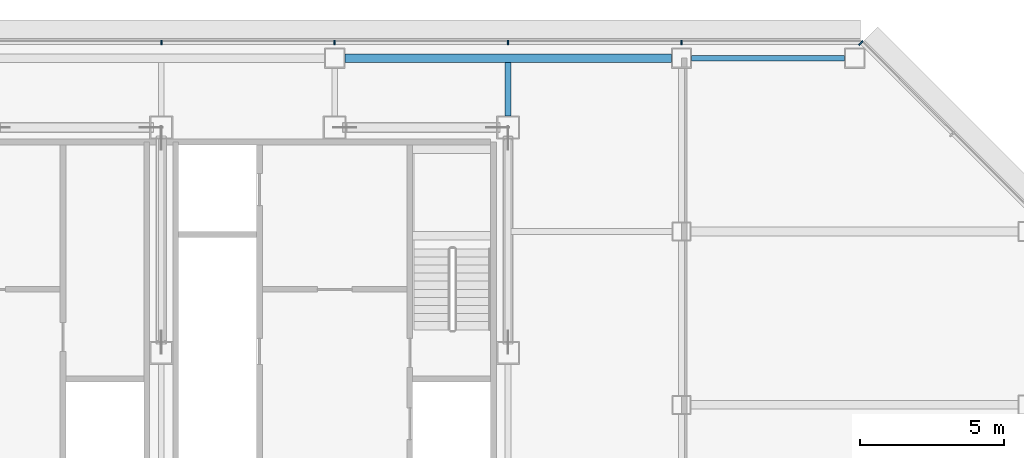
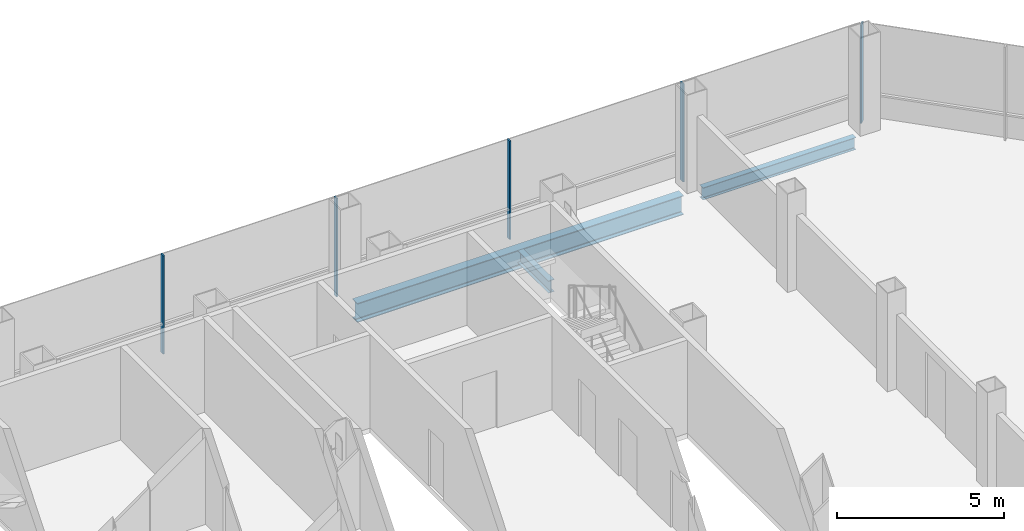
# One storey, part 14 of 24: 5 members, 3 beams, 2 elements without a shape of their own.
"""IFC4 building model written with IfcOpenShell, lengths in metres."""

from ifc_helpers import new_model, si_unit, direction, frame, origin, origin_2d, place, context, subcontext, project, spatial, rectangle, i_section, extrude, material, material_profile, profile_set, type_object, element, aggregate, save


model = new_model("IFC4")

# Units and contexts
model_context = context("Model", 3, precision=1e-05, world=origin(), true_north=direction((0.0, 1.0)))
body_context = subcontext(model_context, "Body", "Model", "MODEL_VIEW")
ifc_project = project(units=[si_unit("LENGTHUNIT", "METRE"), si_unit("AREAUNIT", "SQUARE_METRE"), si_unit("VOLUMEUNIT", "CUBIC_METRE"), si_unit("PLANEANGLEUNIT", "RADIAN"), si_unit("MASSUNIT", "GRAM", prefix="KILO")], contexts=[model_context])

# Site, building, storey
site_placement = place(None, origin())
site = spatial("IfcSite", under=ifc_project, at=site_placement, CompositionType="ELEMENT")
building_placement = place(site_placement, origin())
building = spatial("IfcBuilding", under=site, at=building_placement, Name="Sorahane Residences", CompositionType="ELEMENT")
storey_placement = place(building_placement, frame((0.0, 0.0, 170.800048828125)))
storey = spatial("IfcBuildingStorey", under=building, at=storey_placement, Name="L39", CompositionType="ELEMENT", Elevation=170.800048828125)

# Curtain wall, members
ifc_material_1 = material(Name="Dark low-e glass and black anodised aluminium", Category="aluminium")
curtain_wall_type_1 = type_object("IfcCurtainWallType", Name="Curtain wall CW-1 Typical unitised wall", PredefinedType="NOTDEFINED", material=ifc_material_1)
curtain_wall_1_placement = place(storey_placement, origin())
curtain_wall_1 = element("IfcCurtainWall", 1, at=curtain_wall_1_placement, inside=storey, type_object=curtain_wall_type_1, Name="CW-1 curtain wall L39 N1", PredefinedType="NOTDEFINED")
ifc_material_2 = material(Name="Black anodised aluminium", Category="aluminium")
ifc_material_profile_1 = material_profile(ifc_material_2, rectangle(XDim=0.159912109375, YDim=0.050048828125, at=origin_2d()), Name="Curtain wall mullion CW-1 black anodised aluminium 50x160")
ifc_profile_set_1 = profile_set([ifc_material_profile_1], Name="Black anodised aluminium")
member_type_1 = type_object("IfcMemberType", Name="Curtain wall mullion CW-1 black anodised aluminium 50x160", PredefinedType="MULLION", material=ifc_profile_set_1)
member_1_placement = place(storey_placement, frame((48.0, 48.5400390625, -0.179931640625), z_axis=(0.0, 0.0, 1.0), x_axis=(0.0, 1.0, 0.0)))
member_1 = element("IfcMember", 2, at=member_1_placement, type_object=member_type_1, Name="CW-1 mullion L39 N1.2", PredefinedType="MULLION", context=body_context, shape_type="SweptSolid", body=[
    extrude(rectangle(XDim=0.159912109375, YDim=0.050048828125, at=origin_2d()), origin(), (0.0, 0.0, 1.0), 3.599853515625),
])
member_2_placement = place(storey_placement, frame((42.0, 48.5400390625, -0.179931640625), z_axis=(0.0, 0.0, 1.0), x_axis=(0.0, 1.0, 0.0)))
member_2 = element("IfcMember", 3, at=member_2_placement, type_object=member_type_1, Name="CW-1 mullion L39 N1.3", PredefinedType="MULLION", context=body_context, shape_type="SweptSolid", body=[
    extrude(rectangle(XDim=0.159912109375, YDim=0.050048828125, at=origin_2d()), origin(), (0.0, 0.0, 1.0), 3.599853515625),
])
member_3_placement = place(storey_placement, frame((36.0, 48.5400390625, -0.179931640625), z_axis=(0.0, 0.0, 1.0), x_axis=(0.0, 1.0, 0.0)))
member_3 = element("IfcMember", 4, at=member_3_placement, type_object=member_type_1, Name="CW-1 mullion L39 N1.4", PredefinedType="MULLION", context=body_context, shape_type="SweptSolid", body=[
    extrude(rectangle(XDim=0.159912109375, YDim=0.050048828125, at=origin_2d()), origin(), (0.0, 0.0, 1.0), 3.599853515625),
])
member_4_placement = place(storey_placement, frame((30.0, 48.5400390625, -0.179931640625), z_axis=(0.0, 0.0, 1.0), x_axis=(0.0, 1.0, 0.0)))
member_4 = element("IfcMember", 5, at=member_4_placement, type_object=member_type_1, Name="CW-1 mullion L39 N1.5", PredefinedType="MULLION", context=body_context, shape_type="SweptSolid", body=[
    extrude(rectangle(XDim=0.159912109375, YDim=0.050048828125, at=origin_2d()), origin(), (0.0, 0.0, 1.0), 3.599853515625),
])
aggregate(curtain_wall_1, [member_1, member_2, member_3, member_4])

# Curtain wall, member
ifc_material_3 = material(Name="Dark low-e glass and black anodised aluminium", Category="aluminium")
curtain_wall_type_2 = type_object("IfcCurtainWallType", Name="Curtain wall CW-2 Chamfer unitised wall", PredefinedType="NOTDEFINED", material=ifc_material_3)
curtain_wall_2_placement = place(storey_placement, origin())
curtain_wall_2 = element("IfcCurtainWall", 6, at=curtain_wall_2_placement, inside=storey, type_object=curtain_wall_type_2, Name="CW-2 curtain wall L39 NE1", PredefinedType="NOTDEFINED")
ifc_material_4 = material(Name="Black anodised aluminium", Category="aluminium")
ifc_material_profile_2 = material_profile(ifc_material_4, rectangle(XDim=0.199951171875, YDim=0.050048828125, at=origin_2d()), Name="Curtain wall mullion CW-2 black anodised aluminium 50x200")
ifc_profile_set_2 = profile_set([ifc_material_profile_2], Name="Black anodised aluminium")
member_type_2 = type_object("IfcMemberType", Name="Curtain wall mullion CW-2 black anodised aluminium 50x200", PredefinedType="MULLION", material=ifc_profile_set_2)
member_5_placement = place(storey_placement, frame((54.209716796875, 48.525634765625, -0.179931640625), z_axis=(0.0, 0.0, 1.0), x_axis=(0.707106781187, 0.707106781187, 0.0)))
member_5 = element("IfcMember", 7, at=member_5_placement, type_object=member_type_2, Name="CW-2 mullion L39 NE1.3", PredefinedType="MULLION", context=body_context, shape_type="SweptSolid", body=[
    extrude(rectangle(XDim=0.199951171875, YDim=0.050048828125, at=origin_2d()), origin(), (0.0, 0.0, 1.0), 3.599853515625),
])
aggregate(curtain_wall_2, [member_5])

# Beams
ifc_material_5 = material(Name="Steel Q355B", Category="steel")
ifc_material_profile_3 = material_profile(ifc_material_5, i_section(OverallWidth=0.199951171875, OverallDepth=0.449951171875, WebThickness=0.009033203125, FlangeThickness=0.013916015625, FilletRadius=0.02001953125, at=origin_2d()), Name="HN 450x200x9x14")
ifc_profile_set_3 = profile_set([ifc_material_profile_3], Name="Steel Q355B")
beam_type_1 = type_object("IfcBeamType", Name="Steel floor beam HN 450x200x9x14 Q355B", PredefinedType="BEAM", material=ifc_profile_set_3)
beam_1_placement = place(storey_placement, frame((48.35009765625, 48.0, -0.405029296875), z_axis=(1.0, 0.0, 0.0), x_axis=(0.0, 1.0, 0.0)))
element("IfcBeam", 8, at=beam_1_placement, inside=storey, type_object=beam_type_1, Name="Beam L39 019", PredefinedType="BEAM", context=body_context, shape_type="SweptSolid", body=[
    extrude(i_section(OverallWidth=0.199951171875, OverallDepth=0.449951171875, WebThickness=0.009033203125, FlangeThickness=0.013916015625, FilletRadius=0.02001953125, at=origin_2d()), origin(), (0.0, 0.0, 1.0), 5.2998046875),
])
beam_2_placement = place(storey_placement, frame((42.0, 46.0, -0.405029296875), z_axis=(0.0, 1.0, 0.0), x_axis=(-1.0, 0.0, 0.0)))
element("IfcBeam", 9, at=beam_2_placement, inside=storey, type_object=beam_type_1, Name="Beam L39 057", PredefinedType="BEAM", context=body_context, shape_type="SweptSolid", body=[
    extrude(i_section(OverallWidth=0.199951171875, OverallDepth=0.449951171875, WebThickness=0.009033203125, FlangeThickness=0.013916015625, FilletRadius=0.02001953125, at=origin_2d()), origin(), (0.0, 0.0, 1.0), 1.85009765625),
])
ifc_material_6 = material(Name="Steel Q355B", Category="steel")
ifc_material_profile_4 = material_profile(ifc_material_6, i_section(OverallWidth=0.300048828125, OverallDepth=0.699951171875, WebThickness=0.012939453125, FlangeThickness=0.02392578125, FilletRadius=0.028076171875, at=origin_2d()), Name="HN 700x300x13x24")
ifc_profile_set_4 = profile_set([ifc_material_profile_4], Name="Steel Q355B")
beam_type_2 = type_object("IfcBeamType", Name="Steel floor beam HN 700x300x13x24 Q355B", PredefinedType="BEAM", material=ifc_profile_set_4)
beam_3_placement = place(storey_placement, frame((36.35009765625, 48.0, -0.530029296875), z_axis=(1.0, 0.0, 0.0), x_axis=(0.0, 1.0, 0.0)))
element("IfcBeam", 10, at=beam_3_placement, inside=storey, type_object=beam_type_2, Name="Beam L39 018", PredefinedType="BEAM", context=body_context, shape_type="SweptSolid", body=[
    extrude(i_section(OverallWidth=0.300048828125, OverallDepth=0.699951171875, WebThickness=0.012939453125, FlangeThickness=0.02392578125, FilletRadius=0.028076171875, at=origin_2d()), origin(), (0.0, 0.0, 1.0), 11.2998046875),
])

save(model, "model.ifc")
